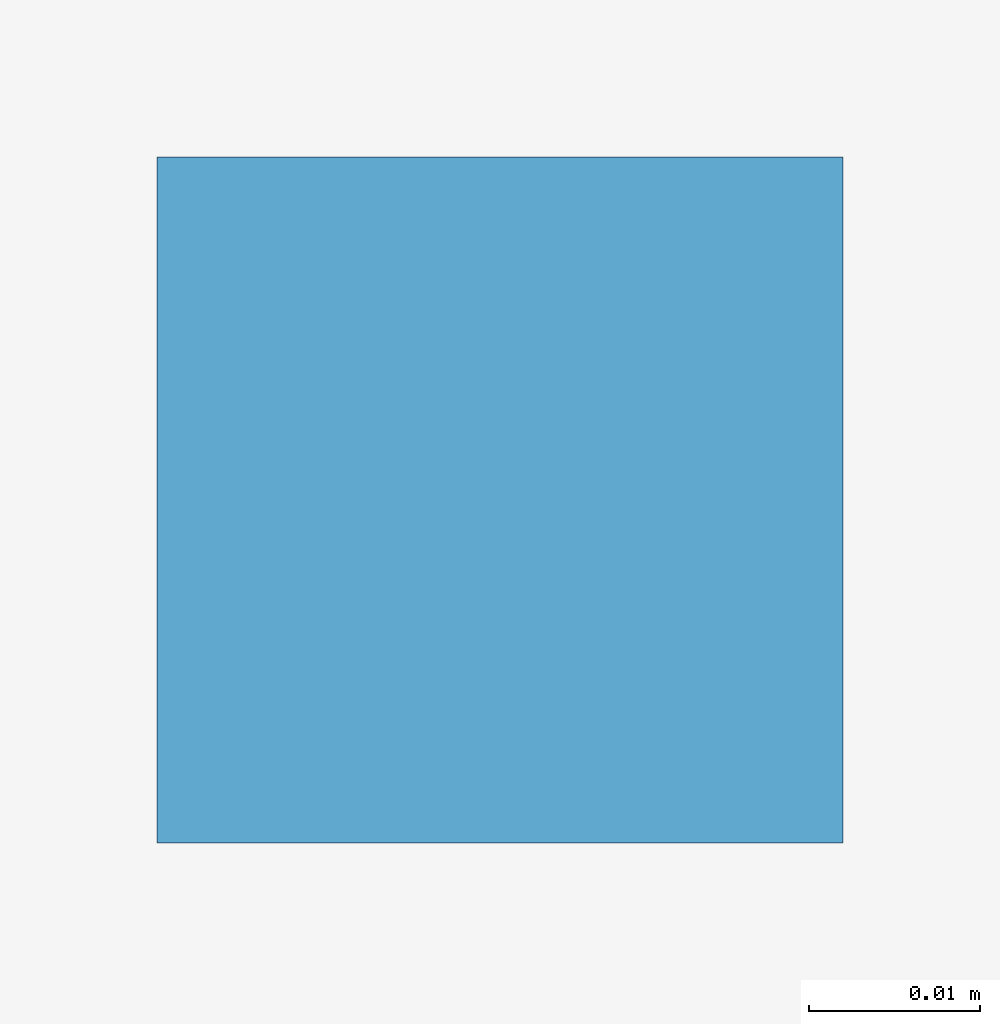
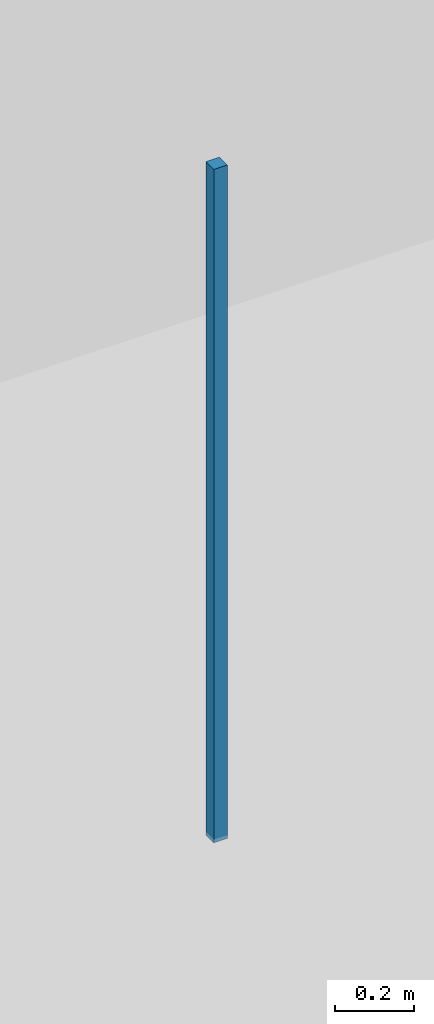
# One storey, part 133 of 157: 1 discrete accessory.
"""IFC4 building model written with IfcOpenShell, lengths in metres."""

from ifc_helpers import new_model, si_unit, direction, frame, origin, origin_2d, place, context, subcontext, project, spatial, rectangle, extrude, material, type_object, element, save


model = new_model("IFC4")

# Units and contexts
model_context = context("Model", 3, precision=1e-05, world=origin(), true_north=direction((0.0, 1.0)))
body_context = subcontext(model_context, "Body", "Model", "MODEL_VIEW")
ifc_project = project(units=[si_unit("LENGTHUNIT", "METRE"), si_unit("AREAUNIT", "SQUARE_METRE"), si_unit("VOLUMEUNIT", "CUBIC_METRE"), si_unit("PLANEANGLEUNIT", "RADIAN"), si_unit("MASSUNIT", "GRAM", prefix="KILO")], contexts=[model_context])

# Site, building, storey
site_placement = place(None, origin())
site = spatial("IfcSite", under=ifc_project, at=site_placement, CompositionType="ELEMENT")
building_placement = place(site_placement, origin())
building = spatial("IfcBuilding", under=site, at=building_placement, Name="Varncliffe General Hospital", CompositionType="ELEMENT")
storey_placement = place(building_placement, frame((0.0, 0.0, 5.39990234375)))
storey = spatial("IfcBuildingStorey", under=building, at=storey_placement, Name="L01", CompositionType="ELEMENT", Elevation=5.39990234375)

# Discrete accessory
ifc_material = material(Name="Powder-coated hospital steel guardrail and handrail", Category="steel")
discrete_accessory_type = type_object("IfcDiscreteAccessoryType", Name="Suspended Ceiling Hanger Bracket CH01", PredefinedType="BRACKET", material=ifc_material)
discrete_accessory_placement = place(storey_placement, frame((147.0, 118.10009765625, 3.18994140625), z_axis=(0.0, 0.0, 1.0), x_axis=(1.0, 0.0, 0.0)))
element("IfcDiscreteAccessory", 1, at=discrete_accessory_placement, inside=storey, type_object=discrete_accessory_type, Name="L01 Suspended Ceiling Hanger 123", PredefinedType="BRACKET", context=body_context, shape_type="SweptSolid", body=[
    extrude(rectangle(XDim=0.0400390625, YDim=0.0400390625, at=origin_2d()), origin(), (0.0, 0.0, 1.0), 2.090087890625),
])

save(model, "model.ifc")
